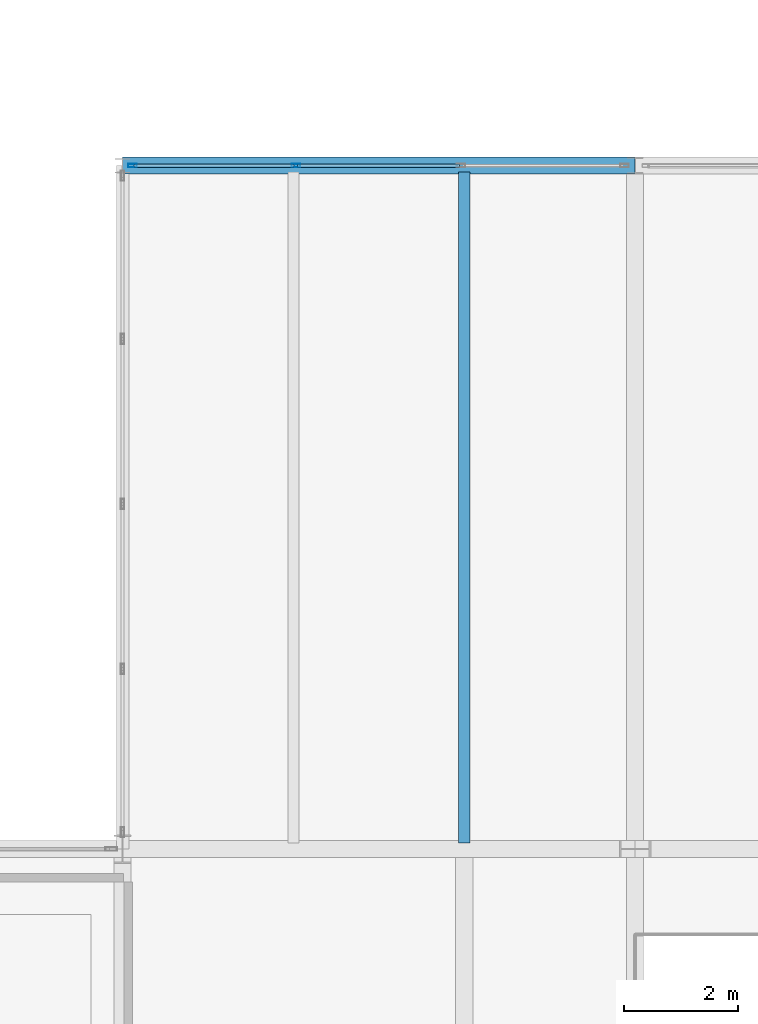
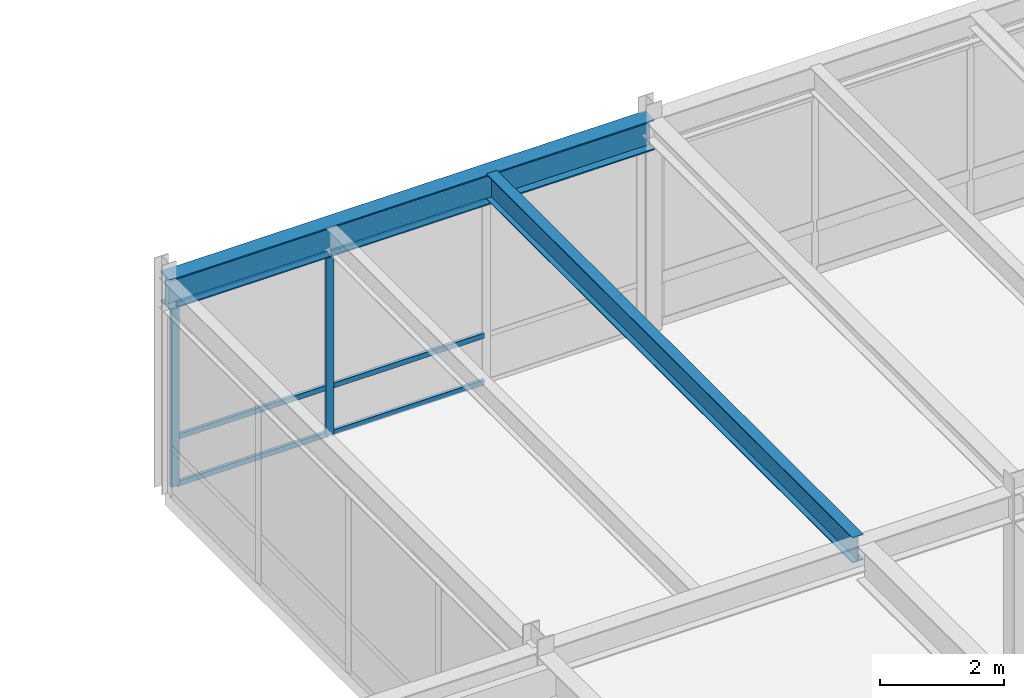
# One storey, part 58 of 127: 8 members, 2 beams, 1 element without a shape of its own.
"""IFC4 building model written with IfcOpenShell, lengths in metres."""

from ifc_helpers import new_model, si_unit, direction, frame, origin, origin_2d, place, context, subcontext, project, spatial, hollow_rectangle, i_section, extrude, material, layer, layer_set, material_profile, profile_set, type_object, element, aggregate, save


model = new_model("IFC4")

# Units and contexts
model_context = context("Model", 3, precision=1e-05, world=origin(), true_north=direction((0.0, 1.0)))
body_context = subcontext(model_context, "Body", "Model", "MODEL_VIEW")
ifc_project = project(units=[si_unit("LENGTHUNIT", "METRE"), si_unit("AREAUNIT", "SQUARE_METRE"), si_unit("VOLUMEUNIT", "CUBIC_METRE"), si_unit("PLANEANGLEUNIT", "RADIAN"), si_unit("MASSUNIT", "GRAM", prefix="KILO")], contexts=[model_context])

# Site, building, storey
site_placement = place(None, origin())
site = spatial("IfcSite", under=ifc_project, at=site_placement, CompositionType="ELEMENT")
building_placement = place(site_placement, origin())
building = spatial("IfcBuilding", under=site, at=building_placement, Name="Montelvaro Courts of Justice", CompositionType="ELEMENT")
storey_placement = place(building_placement, frame((0.0, 0.0, 5.39990234375)))
storey = spatial("IfcBuildingStorey", under=building, at=storey_placement, Name="L01", CompositionType="ELEMENT", Elevation=5.39990234375)

# Beams
ifc_material_1 = material(Name="Steel S355", Category="steel")
ifc_material_profile_1 = material_profile(ifc_material_1, i_section(OverallWidth=0.300048828125, OverallDepth=0.590087890625, WebThickness=0.012939453125, FlangeThickness=0.02490234375, at=origin_2d()), Name="HEA 600")
ifc_profile_set_1 = profile_set([ifc_material_profile_1], Name="Steel S355")
beam_type_1 = type_object("IfcBeamType", Name="Beam_HEA600", PredefinedType="USERDEFINED", material=ifc_profile_set_1)
beam_1_placement = place(storey_placement, frame((27.0, 108.0, 3.885009765625), z_axis=(1.0, 0.0, 0.0), x_axis=(0.0, 1.0, 0.0)))
element("IfcBeam", 1, at=beam_1_placement, inside=storey, type_object=beam_type_1, Name="Beam B-21 L01", ObjectType="GIRDER", PredefinedType="USERDEFINED", context=body_context, shape_type="SweptSolid", body=[
    extrude(i_section(OverallWidth=0.300048828125, OverallDepth=0.590087890625, WebThickness=0.012939453125, FlangeThickness=0.02490234375, at=origin_2d()), origin(), (0.0, 0.0, 1.0), 9.0),
])
ifc_material_profile_2 = material_profile(ifc_material_1, i_section(OverallWidth=0.199951171875, OverallDepth=0.5, WebThickness=0.01025390625, FlangeThickness=0.01611328125, at=origin_2d()), Name="IPE 500")
ifc_profile_set_2 = profile_set([ifc_material_profile_2], Name="Steel S355")
beam_type_2 = type_object("IfcBeamType", Name="Beam_IPE500", PredefinedType="BEAM", material=ifc_profile_set_2)
beam_2_placement = place(storey_placement, frame((33.0, 96.110107421875, 3.93017578125), z_axis=(0.0, 1.0, 0.0), x_axis=(-1.0, 0.0, 0.0)))
element("IfcBeam", 2, at=beam_2_placement, inside=storey, type_object=beam_type_2, Name="Beam B-10 L01", PredefinedType="BEAM", context=body_context, shape_type="SweptSolid", body=[
    extrude(i_section(OverallWidth=0.199951171875, OverallDepth=0.5, WebThickness=0.01025390625, FlangeThickness=0.01611328125, at=origin_2d()), origin(), (0.0, 0.0, 1.0), 11.77978515625),
])

# Curtain wall, members
ifc_material_2 = material(Name="Anodised aluminium EN AW-6063", Category="aluminium")
ifc_layer = layer(ifc_material_2, 0.159912109375)
ifc_layer_set = layer_set([ifc_layer], Name="Anodised aluminium EN AW-6063")
curtain_wall_type = type_object("IfcCurtainWallType", Name="CurtainWall_18_868x418", PredefinedType="USERDEFINED", material=ifc_layer_set)
curtain_wall_placement = place(storey_placement, origin())
curtain_wall = element("IfcCurtainWall", 3, at=curtain_wall_placement, inside=storey, type_object=curtain_wall_type, Name="Curtain Wall CW-18 (L01)", ObjectType="CURTAIN WALL", PredefinedType="USERDEFINED")
ifc_material_profile_3 = material_profile(ifc_material_2, hollow_rectangle(XDim=0.06005859375, YDim=0.14990234375, WallThickness=0.00390625, at=origin_2d()), Name="ALU-M 60x150")
ifc_profile_set_3 = profile_set([ifc_material_profile_3], Name="Anodised aluminium EN AW-6063")
member_type_1 = type_object("IfcMemberType", Name="CurtainWall_Mullion_60x150", PredefinedType="MULLION", material=ifc_profile_set_3)
member_1_placement = place(storey_placement, frame((30.044921875, 108.0, 0.0), z_axis=(0.0, 0.0, 1.0), x_axis=(0.0, -1.0, 0.0)))
member_1 = element("IfcMember", 4, at=member_1_placement, type_object=member_type_1, Name="CW-18 mullion 3", PredefinedType="MULLION", context=body_context, shape_type="SweptSolid", body=[
    extrude(hollow_rectangle(XDim=0.06005859375, YDim=0.14990234375, WallThickness=0.00390625, at=origin_2d()), origin(), (0.0, 0.0, 1.0), 3.585205078125),
])
member_2_placement = place(storey_placement, frame((27.175048828125, 108.0, 0.0), z_axis=(0.0, 0.0, 1.0), x_axis=(0.0, -1.0, 0.0)))
member_2 = element("IfcMember", 5, at=member_2_placement, type_object=member_type_1, Name="CW-18 mullion 4", PredefinedType="MULLION", context=body_context, shape_type="SweptSolid", body=[
    extrude(hollow_rectangle(XDim=0.06005859375, YDim=0.14990234375, WallThickness=0.00390625, at=origin_2d()), origin(), (0.0, 0.0, 1.0), 3.585205078125),
])
ifc_material_profile_4 = material_profile(ifc_material_2, hollow_rectangle(XDim=0.06005859375, YDim=0.10009765625, WallThickness=0.00341796875, at=origin_2d()), Name="ALU-T 60x100")
ifc_profile_set_4 = profile_set([ifc_material_profile_4], Name="Anodised aluminium EN AW-6063")
member_type_2 = type_object("IfcMemberType", Name="CurtainWall_Transom_60x100", PredefinedType="USERDEFINED", material=ifc_profile_set_4)
member_3_placement = place(storey_placement, frame((32.9150390625, 108.0, 0.030029296875), z_axis=(-1.0, 0.0, 0.0), x_axis=(0.0, -1.0, 0.0)))
member_3 = element("IfcMember", 6, at=member_3_placement, type_object=member_type_2, Name="CW-18 transom 2.1", ObjectType="TRANSOM", PredefinedType="USERDEFINED", context=body_context, shape_type="SweptSolid", body=[
    extrude(hollow_rectangle(XDim=0.06005859375, YDim=0.10009765625, WallThickness=0.00341796875, at=origin_2d()), origin(), (0.0, 0.0, 1.0), 2.840087890625),
])
member_4_placement = place(storey_placement, frame((32.9150390625, 108.0, 0.9501953125), z_axis=(-1.0, 0.0, 0.0), x_axis=(0.0, -1.0, 0.0)))
member_4 = element("IfcMember", 7, at=member_4_placement, type_object=member_type_2, Name="CW-18 transom 2.2", ObjectType="TRANSOM", PredefinedType="USERDEFINED", context=body_context, shape_type="SweptSolid", body=[
    extrude(hollow_rectangle(XDim=0.06005859375, YDim=0.10009765625, WallThickness=0.00341796875, at=origin_2d()), origin(), (0.0, 0.0, 1.0), 2.840087890625),
])
member_5_placement = place(storey_placement, frame((32.9150390625, 108.0, 3.55517578125), z_axis=(-1.0, 0.0, 0.0), x_axis=(0.0, -1.0, 0.0)))
member_5 = element("IfcMember", 8, at=member_5_placement, type_object=member_type_2, Name="CW-18 transom 2.3", ObjectType="TRANSOM", PredefinedType="USERDEFINED", context=body_context, shape_type="SweptSolid", body=[
    extrude(hollow_rectangle(XDim=0.06005859375, YDim=0.10009765625, WallThickness=0.00341796875, at=origin_2d()), origin(), (0.0, 0.0, 1.0), 2.840087890625),
])
member_6_placement = place(storey_placement, frame((30.014892578125, 108.0, 0.030029296875), z_axis=(-1.0, 0.0, 0.0), x_axis=(0.0, -1.0, 0.0)))
member_6 = element("IfcMember", 9, at=member_6_placement, type_object=member_type_2, Name="CW-18 transom 3.1", ObjectType="TRANSOM", PredefinedType="USERDEFINED", context=body_context, shape_type="SweptSolid", body=[
    extrude(hollow_rectangle(XDim=0.06005859375, YDim=0.10009765625, WallThickness=0.00341796875, at=origin_2d()), origin(), (0.0, 0.0, 1.0), 2.809814453125),
])
member_7_placement = place(storey_placement, frame((30.014892578125, 108.0, 0.9501953125), z_axis=(-1.0, 0.0, 0.0), x_axis=(0.0, -1.0, 0.0)))
member_7 = element("IfcMember", 10, at=member_7_placement, type_object=member_type_2, Name="CW-18 transom 3.2", ObjectType="TRANSOM", PredefinedType="USERDEFINED", context=body_context, shape_type="SweptSolid", body=[
    extrude(hollow_rectangle(XDim=0.06005859375, YDim=0.10009765625, WallThickness=0.00341796875, at=origin_2d()), origin(), (0.0, 0.0, 1.0), 2.809814453125),
])
member_8_placement = place(storey_placement, frame((30.014892578125, 108.0, 3.55517578125), z_axis=(-1.0, 0.0, 0.0), x_axis=(0.0, -1.0, 0.0)))
member_8 = element("IfcMember", 11, at=member_8_placement, type_object=member_type_2, Name="CW-18 transom 3.3", ObjectType="TRANSOM", PredefinedType="USERDEFINED", context=body_context, shape_type="SweptSolid", body=[
    extrude(hollow_rectangle(XDim=0.06005859375, YDim=0.10009765625, WallThickness=0.00341796875, at=origin_2d()), origin(), (0.0, 0.0, 1.0), 2.809814453125),
])
aggregate(curtain_wall, [member_1, member_2, member_3, member_4, member_5, member_6, member_7, member_8])

save(model, "model.ifc")
